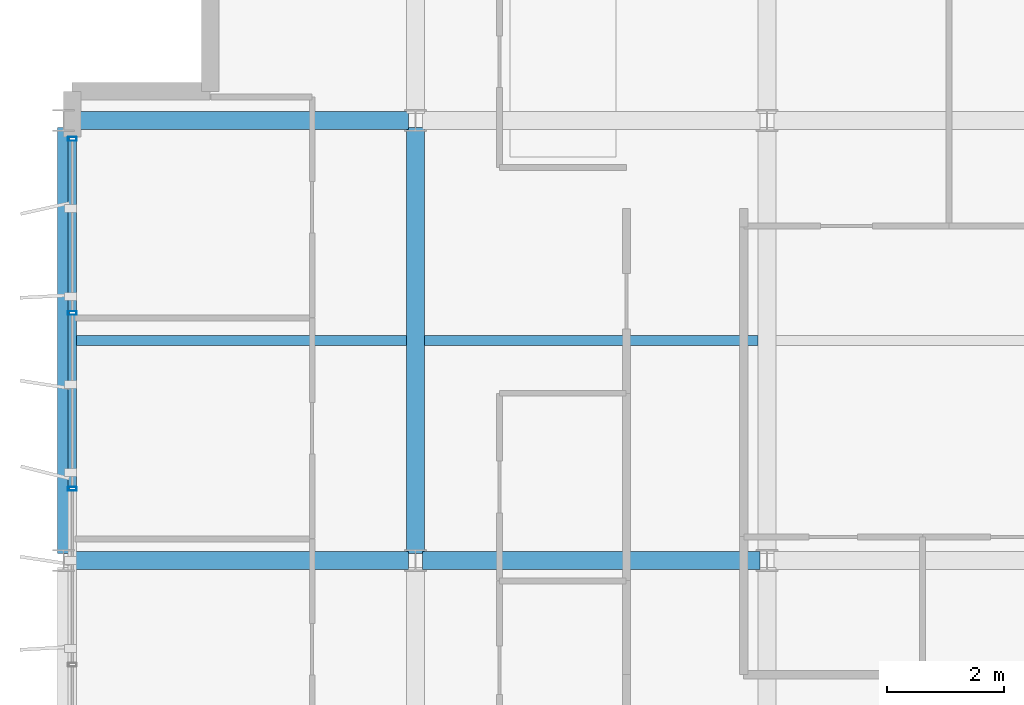
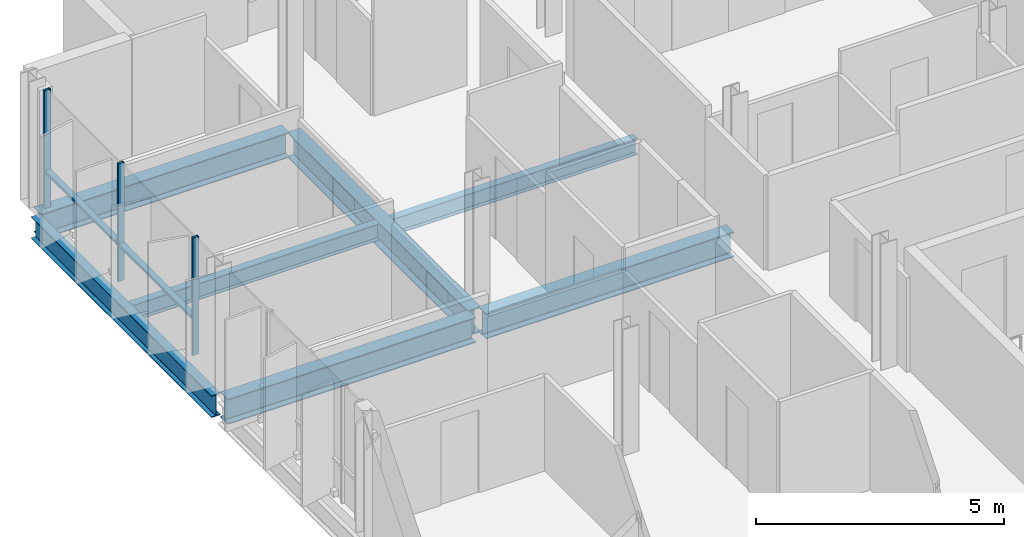
# One storey, part 6 of 35: 7 beams, 5 members, 1 element without a shape of its own.
"""IFC4 building model written with IfcOpenShell, lengths in metres."""

import ifcopenshell
import ifcopenshell.guid

model = None  # the IFC model being written
_history = None  # IfcOwnerHistory: only IFC2X3 demands one
_inside = {}  # id of a spatial element -> (the spatial element, [elements in it])
_under = {}  # id of a project, library or spatial element -> (it, [spatial elements below it])
_declared = {}  # id of a project -> (the project, [libraries it declares])
_typed = {}  # id of a type object -> (the type object, [elements of that type])
_made_of = {}  # id of a material, layer set ... -> (it, [elements and type objects made of it])


def new_model(schema):
    """Start an empty IFC model of exactly this schema.

    Asked for "IFC4X3", IfcOpenShell would pick the latest addendum, in which some entities
    have other attributes; the version numbers below select the first issue.
    IFC2X3 requires an IfcOwnerHistory on every rooted entity: one is made here for all.
    """
    global model, _history
    if schema == "IFC4X3":
        model = ifcopenshell.file(schema_version=(4, 3, 0, 0))
    else:
        model = ifcopenshell.file(schema=schema)
    _inside.clear()
    _under.clear()
    _declared.clear()
    _typed.clear()
    _made_of.clear()
    _history = None
    if model.schema == "IFC2X3":
        org = make("IfcOrganization", Name="unknown")
        user = make(
            "IfcPersonAndOrganization",
            ThePerson=make("IfcPerson", FamilyName="unknown"),
            TheOrganization=org,
        )
        app = make(
            "IfcApplication",
            ApplicationDeveloper=org,
            Version="unknown",
            ApplicationFullName="unknown",
            ApplicationIdentifier="unknown",
        )
        _history = make(
            "IfcOwnerHistory",
            OwningUser=user,
            OwningApplication=app,
            ChangeAction="ADDED",
            CreationDate=0,
        )
    return model


def make(cls, **values):
    """One entity of the class cls with the attributes given. An attribute that is None is left unset."""
    return model.create_entity(
        cls, **{name: value for name, value in values.items() if value is not None}
    )


def rooted(cls, **values):
    """An entity with a GlobalId (a new one), such as an element, a storey or a relation."""
    return make(cls, GlobalId=ifcopenshell.guid.new(), OwnerHistory=_history, **values)


def si_unit(unit_type, name, prefix=None):
    """IfcSIUnit, for example si_unit("LENGTHUNIT", "METRE", prefix="MILLI")."""
    return make("IfcSIUnit", UnitType=unit_type, Prefix=prefix, Name=name)


def assignment(units):
    """IfcUnitAssignment: the units of a project."""
    return None if units is None else make("IfcUnitAssignment", Units=units)


def point(xyz):
    """IfcCartesianPoint."""
    return None if xyz is None else make("IfcCartesianPoint", Coordinates=xyz)


def direction(xyz):
    """IfcDirection."""
    return None if xyz is None else make("IfcDirection", DirectionRatios=xyz)


def frame(location, z_axis=None, x_axis=None):
    """IfcAxis2Placement3D, a coordinate frame: its origin and axes. An axis left out is left unset."""
    return make(
        "IfcAxis2Placement3D",
        Location=point(location),
        Axis=direction(z_axis),
        RefDirection=direction(x_axis),
    )


def frame_2d(location, x_axis=None):
    """IfcAxis2Placement2D, a coordinate frame in the plane: its origin and x axis."""
    return make(
        "IfcAxis2Placement2D", Location=point(location), RefDirection=direction(x_axis)
    )


def origin():
    """The frame at (0, 0, 0) with its axes left unset."""
    return frame((0.0, 0.0, 0.0))


def origin_2d():
    """The frame at (0, 0) in the plane with its x axis left unset."""
    return frame_2d((0.0, 0.0))


def place(relative_to, where):
    """IfcLocalPlacement: puts the frame where relative to a parent placement (None: the world)."""
    return make(
        "IfcLocalPlacement", PlacementRelTo=relative_to, RelativePlacement=where
    )


def context(
    kind, dimensions, precision=None, world=None, true_north=None, identifier=None
):
    """IfcGeometricRepresentationContext, for example the 3D "Model" context."""
    return make(
        "IfcGeometricRepresentationContext",
        ContextIdentifier=identifier,
        ContextType=kind,
        CoordinateSpaceDimension=dimensions,
        Precision=precision,
        WorldCoordinateSystem=world,
        TrueNorth=true_north,
    )


def subcontext(parent, identifier, kind, view, scale=None):
    """IfcGeometricRepresentationSubContext, for example "Body" below "Model"."""
    return make(
        "IfcGeometricRepresentationSubContext",
        ContextIdentifier=identifier,
        ContextType=kind,
        ParentContext=parent,
        TargetScale=scale,
        TargetView=view,
    )


def project(units=None, contexts=None):
    """IfcProject with its units and contexts."""
    return rooted(
        "IfcProject",
        Name="project",
        RepresentationContexts=contexts,
        UnitsInContext=assignment(units),
    )


def spatial(cls, under=None, at=None, **own):
    """A site, building, storey or space (cls), placed at a placement, below another one or the project."""
    s = rooted(cls, ObjectPlacement=at, **own)
    if under is not None:
        _under.setdefault(under.id(), (under, []))[1].append(s)
    return s


def profile(cls, at=None, kind="AREA", **sizes):
    """A parametric profile (cls). Its sizes go by their IFC names, for example OverallWidth=200.0."""
    return make(cls, ProfileType=kind, Position=at, **sizes)


def hollow_rectangle(**sizes):
    """IfcRectangleHollowProfileDef."""
    return profile("IfcRectangleHollowProfileDef", **sizes)


def i_section(**sizes):
    """IfcIShapeProfileDef."""
    return profile("IfcIShapeProfileDef", **sizes)


def extrude(swept, where, along, depth):
    """IfcExtrudedAreaSolid: the profile swept, set in the frame where, extruded along a direction by depth."""
    return make(
        "IfcExtrudedAreaSolid",
        SweptArea=swept,
        Position=where,
        ExtrudedDirection=direction(along),
        Depth=depth,
    )


def shape(context_of_items, identifier, shape_type, items):
    """IfcShapeRepresentation: the items that make up one representation, for example the "Body"."""
    return make(
        "IfcShapeRepresentation",
        ContextOfItems=context_of_items,
        RepresentationIdentifier=identifier,
        RepresentationType=shape_type,
        Items=items,
    )


def material(Name=None, Category=None):
    """IfcMaterial."""
    return make("IfcMaterial", Name=Name, Category=Category)


def layer(
    of_material, thickness, ventilated=None, Name=None, Category=None, Priority=None
):
    """IfcMaterialLayer: one layer of a wall or slab, of a material (None: an air gap)."""
    return make(
        "IfcMaterialLayer",
        Material=of_material,
        LayerThickness=thickness,
        IsVentilated=ventilated,
        Name=Name,
        Category=Category,
        Priority=Priority,
    )


def layer_set(layers, Name=None):
    """IfcMaterialLayerSet."""
    return make("IfcMaterialLayerSet", MaterialLayers=layers, LayerSetName=Name)


def material_profile(
    of_material, cross_section, Name=None, Category=None, Priority=None
):
    """IfcMaterialProfile: a cross section and its material."""
    return make(
        "IfcMaterialProfile",
        Name=Name,
        Material=of_material,
        Profile=cross_section,
        Priority=Priority,
        Category=Category,
    )


def profile_set(profiles, Name=None, composite=None):
    """IfcMaterialProfileSet."""
    return make(
        "IfcMaterialProfileSet",
        Name=Name,
        MaterialProfiles=profiles,
        CompositeProfile=composite,
    )


def made_of(thing, what):
    """Note that an element or type object is made of a material, layer set ...; save() writes the relation."""
    if what is not None:
        _made_of.setdefault(what.id(), (what, []))[1].append(thing)
    return thing


def type_object(cls, material=None, **own):
    """A type object (cls), such as IfcWallType, which elements share."""
    return made_of(rooted(cls, **own), material)


def element(
    cls,
    number,
    at=None,
    inside=None,
    cuts=None,
    type_object=None,
    material=None,
    context=None,
    identifier="Body",
    shape_type=None,
    held_by="IfcProductDefinitionShape",
    body=None,
    shapes=None,
    **own,
):
    """One element of the class cls, such as IfcWall. Its Tag is "e" and its number.

    at: its placement. inside: the storey or other place that contains it. cuts: it is an
    opening in that element (IfcRelVoidsElement). A single representation is given by context,
    identifier, shape_type and body (its items); several are given by shapes. held_by: the class
    of the entity that holds the representations. save() writes the other relations.
    """
    e = rooted(cls, Tag="e%d" % number, ObjectPlacement=at, **own)
    if body is not None:
        shapes = [shape(context, identifier, shape_type, body)]
    if shapes is not None:
        e.Representation = make(held_by, Representations=shapes)
    if inside is not None:
        _inside.setdefault(inside.id(), (inside, []))[1].append(e)
    if cuts is not None:
        rooted(
            "IfcRelVoidsElement", RelatingBuildingElement=cuts, RelatedOpeningElement=e
        )
    if type_object is not None:
        _typed.setdefault(type_object.id(), (type_object, []))[1].append(e)
    return made_of(e, material)


def aggregate(whole, parts):
    """IfcRelAggregates: a whole, such as a stair, and the parts it consists of."""
    return rooted("IfcRelAggregates", RelatingObject=whole, RelatedObjects=parts)


def save(model, path):
    """Write the relations noted so far, then the file.

    IfcRelAggregates (storeys below a building ...), IfcRelContainedInSpatialStructure (elements
    in a storey), IfcRelDefinesByType, IfcRelAssociatesMaterial and IfcRelDeclares: one each for
    every whole, place, type object, material and project.
    """
    for whole, parts in _under.values():
        aggregate(whole, parts)
    for where, things in _inside.values():
        rooted(
            "IfcRelContainedInSpatialStructure",
            RelatedElements=things,
            RelatingStructure=where,
        )
    for kind, things in _typed.values():
        rooted("IfcRelDefinesByType", RelatedObjects=things, RelatingType=kind)
    for what, things in _made_of.values():
        rooted("IfcRelAssociatesMaterial", RelatedObjects=things, RelatingMaterial=what)
    for by, libraries in _declared.values():
        rooted("IfcRelDeclares", RelatingContext=by, RelatedDefinitions=libraries)
    model.write(path)


model = new_model("IFC4")

# Units and contexts
model_context = context("Model", 3, precision=1e-05, world=origin(), true_north=direction((0.0, 1.0)))
body_context = subcontext(model_context, "Body", "Model", "MODEL_VIEW")
ifc_project = project(units=[si_unit("LENGTHUNIT", "METRE"), si_unit("AREAUNIT", "SQUARE_METRE"), si_unit("VOLUMEUNIT", "CUBIC_METRE"), si_unit("PLANEANGLEUNIT", "RADIAN"), si_unit("MASSUNIT", "GRAM", prefix="KILO")], contexts=[model_context])

# Site, building, storey
site_placement = place(None, origin())
site = spatial("IfcSite", under=ifc_project, at=site_placement, CompositionType="ELEMENT")
building_placement = place(site_placement, origin())
building = spatial("IfcBuilding", under=site, at=building_placement, Name="Brevholm Reach", CompositionType="ELEMENT")
storey_placement = place(building_placement, frame((0.0, 0.0, 218.0)))
storey = spatial("IfcBuildingStorey", under=building, at=storey_placement, Name="L66", CompositionType="ELEMENT", Elevation=218.0)

# Beams
ifc_material_1 = material(Name="Structural Steel S355J2", Category="steel")
ifc_material_profile_1 = material_profile(ifc_material_1, i_section(OverallWidth=0.177978515625, OverallDepth=0.406494140625, WebThickness=0.0078125, FlangeThickness=0.0126953125, FilletRadius=0.01025390625, at=origin_2d()), Name="UKB 406x178x60")
ifc_profile_set_1 = profile_set([ifc_material_profile_1], Name="Structural Steel S355J2")
beam_type_1 = type_object("IfcBeamType", Name="BM-B406", PredefinedType="BEAM", material=ifc_profile_set_1)
beam_1_placement = place(storey_placement, frame((0.10546875, 19.75, -0.47314453125), z_axis=(1.0, 0.0, 0.0), x_axis=(0.0, 1.0, 0.0)))
element("IfcBeam", 1, at=beam_1_placement, inside=storey, type_object=beam_type_1, Name="L66 Composite Secondary Floor Beam", PredefinedType="BEAM", context=body_context, shape_type="SweptSolid", body=[
    extrude(i_section(OverallWidth=0.177978515625, OverallDepth=0.406494140625, WebThickness=0.0078125, FlangeThickness=0.0126953125, FilletRadius=0.01025390625, at=origin_2d()), origin(), (0.0, 0.0, 1.0), 5.740966796875),
])
beam_2_placement = place(storey_placement, frame((6.153564453125, 19.75, -0.47314453125), z_axis=(1.0, 0.0, 0.0), x_axis=(0.0, 1.0, 0.0)))
element("IfcBeam", 2, at=beam_2_placement, inside=storey, type_object=beam_type_1, Name="L66 Composite Secondary Floor Beam", PredefinedType="BEAM", context=body_context, shape_type="SweptSolid", body=[
    extrude(i_section(OverallWidth=0.177978515625, OverallDepth=0.406494140625, WebThickness=0.0078125, FlangeThickness=0.0126953125, FilletRadius=0.01025390625, at=origin_2d()), origin(), (0.0, 0.0, 1.0), 5.69287109375),
])
ifc_material_2 = material(Name="Structural Steel S355J2", Category="steel")
ifc_material_profile_2 = material_profile(ifc_material_2, i_section(OverallWidth=0.210693359375, OverallDepth=0.53955078125, WebThickness=0.01171875, FlangeThickness=0.018798828125, FilletRadius=0.0126953125, at=origin_2d()), Name="UKB 533x210x109")
ifc_profile_set_2 = profile_set([ifc_material_profile_2], Name="Structural Steel S355J2")
beam_type_2 = type_object("IfcBeamType", Name="BM-SP539", PredefinedType="SPANDREL", material=ifc_profile_set_2)
beam_3_placement = place(storey_placement, frame((0.0, 16.1201171875, -0.539794921875), z_axis=(0.0, 1.0, 0.0), x_axis=(-1.0, 0.0, 0.0)))
element("IfcBeam", 3, at=beam_3_placement, inside=storey, type_object=beam_type_2, Name="L66 SP-01B Framing Beam", PredefinedType="SPANDREL", context=body_context, shape_type="SweptSolid", body=[
    extrude(i_section(OverallWidth=0.210693359375, OverallDepth=0.53955078125, WebThickness=0.01171875, FlangeThickness=0.018798828125, FilletRadius=0.0126953125, at=origin_2d()), origin(), (0.0, 0.0, 1.0), 7.259765625),
])
ifc_material_3 = material(Name="Structural Steel S355J2", Category="steel")
ifc_material_profile_3 = material_profile(ifc_material_3, i_section(OverallWidth=0.30712890625, OverallDepth=0.6201171875, WebThickness=0.01416015625, FlangeThickness=0.023681640625, FilletRadius=0.0166015625, at=origin_2d()), Name="UKB 610x305x179")
ifc_profile_set_3 = profile_set([ifc_material_profile_3], Name="Structural Steel S355J2")
beam_type_3 = type_object("IfcBeamType", Name="BM-UKB610H", PredefinedType="USERDEFINED", material=ifc_profile_set_3)
for number, where, z_axis, x_axis, name in (
    (4, (0.1201171875, 16.0, -0.580078125), (1.0, 0.0, 0.0), (0.0, 1.0, 0.0), "L66 G-06 Framing Beam"),
    (5, (6.1201171875, 16.0, -0.580078125), (1.0, 0.0, 0.0), (0.0, 1.0, 0.0), "L66 G-06 Framing Beam"),
    (6, (0.1201171875, 23.5, -0.580078125), (1.0, 0.0, 0.0), (0.0, 1.0, 0.0), "L66 G-06 Framing Beam"),
):
    element("IfcBeam", number, at=place(storey_placement, frame(where, z_axis=z_axis, x_axis=x_axis)), inside=storey, type_object=beam_type_3, Name=name, ObjectType="GIRDER", PredefinedType="USERDEFINED", context=body_context, shape_type="SweptSolid", body=[
        extrude(i_section(OverallWidth=0.30712890625, OverallDepth=0.6201171875, WebThickness=0.01416015625, FlangeThickness=0.023681640625, FilletRadius=0.0166015625, at=origin_2d()), origin(), (0.0, 0.0, 1.0), 5.759765625),
    ])
beam_4_placement = place(storey_placement, frame((6.0, 16.1201171875, -0.580078125), z_axis=(0.0, 1.0, 0.0), x_axis=(-1.0, 0.0, 0.0)))
element("IfcBeam", 7, at=beam_4_placement, inside=storey, type_object=beam_type_3, Name="L66 G-06 Framing Beam", ObjectType="GIRDER", PredefinedType="USERDEFINED", context=body_context, shape_type="SweptSolid", body=[
    extrude(i_section(OverallWidth=0.30712890625, OverallDepth=0.6201171875, WebThickness=0.01416015625, FlangeThickness=0.023681640625, FilletRadius=0.0166015625, at=origin_2d()), origin(), (0.0, 0.0, 1.0), 7.259765625),
])

# Curtain wall, members
ifc_material_4 = material(Name="Dark Anodised Aluminium 6063-T6 and Solar-Control Glass", Category="aluminium")
ifc_layer = layer(ifc_material_4, 0.14990234375)
ifc_layer_set = layer_set([ifc_layer], Name="Dark Anodised Aluminium 6063-T6 and Solar-Control Glass")
curtain_wall_type = type_object("IfcCurtainWallType", Name="CW-01", PredefinedType="NOTDEFINED", material=ifc_layer_set)
curtain_wall_placement = place(storey_placement, origin())
curtain_wall = element("IfcCurtainWall", 8, at=curtain_wall_placement, inside=storey, type_object=curtain_wall_type, Name="L66 Curtain Wall CW-01", PredefinedType="NOTDEFINED")
ifc_material_5 = material(Name="Dark Anodised Aluminium 6063-T6", Category="aluminium")
ifc_material_profile_4 = material_profile(ifc_material_5, hollow_rectangle(XDim=0.06494140625, YDim=0.14990234375, WallThickness=0.0048828125, InnerFilletRadius=0.0048828125, OuterFilletRadius=0.010009765625, at=origin_2d()), Name="RHS 150x65x5")
ifc_profile_set_4 = profile_set([ifc_material_profile_4], Name="Dark Anodised Aluminium 6063-T6")
member_type_1 = type_object("IfcMemberType", Name="CWM-150", PredefinedType="MULLION", material=ifc_profile_set_4)
member_1_placement = place(storey_placement, frame((0.14990234375, 23.1875, 0.0), z_axis=(0.0, 0.0, 1.0), x_axis=(0.0, -1.0, 0.0)))
member_1 = element("IfcMember", 9, at=member_1_placement, type_object=member_type_1, Name="CM-150 Mullion 1", PredefinedType="MULLION", context=body_context, shape_type="SweptSolid", body=[
    extrude(hollow_rectangle(XDim=0.06494140625, YDim=0.14990234375, WallThickness=0.0048828125, InnerFilletRadius=0.0048828125, OuterFilletRadius=0.010009765625, at=origin_2d()), origin(), (0.0, 0.0, 1.0), 2.889892578125),
])
member_2_placement = place(storey_placement, frame((0.14990234375, 20.219970703125, 0.0), z_axis=(0.0, 0.0, 1.0), x_axis=(0.0, -1.0, 0.0)))
member_2 = element("IfcMember", 10, at=member_2_placement, type_object=member_type_1, Name="CM-150 Mullion 2", PredefinedType="MULLION", context=body_context, shape_type="SweptSolid", body=[
    extrude(hollow_rectangle(XDim=0.06494140625, YDim=0.14990234375, WallThickness=0.0048828125, InnerFilletRadius=0.0048828125, OuterFilletRadius=0.010009765625, at=origin_2d()), origin(), (0.0, 0.0, 1.0), 2.889892578125),
])
member_3_placement = place(storey_placement, frame((0.14990234375, 17.219970703125, 0.0), z_axis=(0.0, 0.0, 1.0), x_axis=(0.0, -1.0, 0.0)))
member_3 = element("IfcMember", 11, at=member_3_placement, type_object=member_type_1, Name="CM-150 Mullion 3", PredefinedType="MULLION", context=body_context, shape_type="SweptSolid", body=[
    extrude(hollow_rectangle(XDim=0.06494140625, YDim=0.14990234375, WallThickness=0.0048828125, InnerFilletRadius=0.0048828125, OuterFilletRadius=0.010009765625, at=origin_2d()), origin(), (0.0, 0.0, 1.0), 2.889892578125),
])
ifc_material_6 = material(Name="Dark Anodised Aluminium 6063-T6", Category="aluminium")
ifc_material_profile_5 = material_profile(ifc_material_6, hollow_rectangle(XDim=0.06494140625, YDim=0.14990234375, WallThickness=0.0048828125, InnerFilletRadius=0.0048828125, OuterFilletRadius=0.010009765625, at=origin_2d()), Name="RHS 150x65x5")
ifc_profile_set_5 = profile_set([ifc_material_profile_5], Name="Dark Anodised Aluminium 6063-T6")
member_type_2 = type_object("IfcMemberType", Name="CWT-150", PredefinedType="NOTDEFINED", material=ifc_profile_set_5)
member_4_placement = place(storey_placement, frame((0.14990234375, 23.155029296875, 0.89990234375), z_axis=(0.0, -1.0, 0.0), x_axis=(0.0, 0.0, 1.0)))
member_4 = element("IfcMember", 12, at=member_4_placement, type_object=member_type_2, Name="CT-150 Transom 1.1", ObjectType="TRANSOM", PredefinedType="USERDEFINED", context=body_context, shape_type="SweptSolid", body=[
    extrude(hollow_rectangle(XDim=0.06494140625, YDim=0.14990234375, WallThickness=0.0048828125, InnerFilletRadius=0.0048828125, OuterFilletRadius=0.010009765625, at=origin_2d()), origin(), (0.0, 0.0, 1.0), 2.902587890625),
])
member_5_placement = place(storey_placement, frame((0.14990234375, 20.1875, 0.89990234375), z_axis=(0.0, -1.0, 0.0), x_axis=(0.0, 0.0, 1.0)))
member_5 = element("IfcMember", 13, at=member_5_placement, type_object=member_type_2, Name="CT-150 Transom 2.1", ObjectType="TRANSOM", PredefinedType="USERDEFINED", context=body_context, shape_type="SweptSolid", body=[
    extrude(hollow_rectangle(XDim=0.06494140625, YDim=0.14990234375, WallThickness=0.0048828125, InnerFilletRadius=0.0048828125, OuterFilletRadius=0.010009765625, at=origin_2d()), origin(), (0.0, 0.0, 1.0), 2.93505859375),
])
aggregate(curtain_wall, [member_1, member_2, member_3, member_4, member_5])

save(model, "model.ifc")
